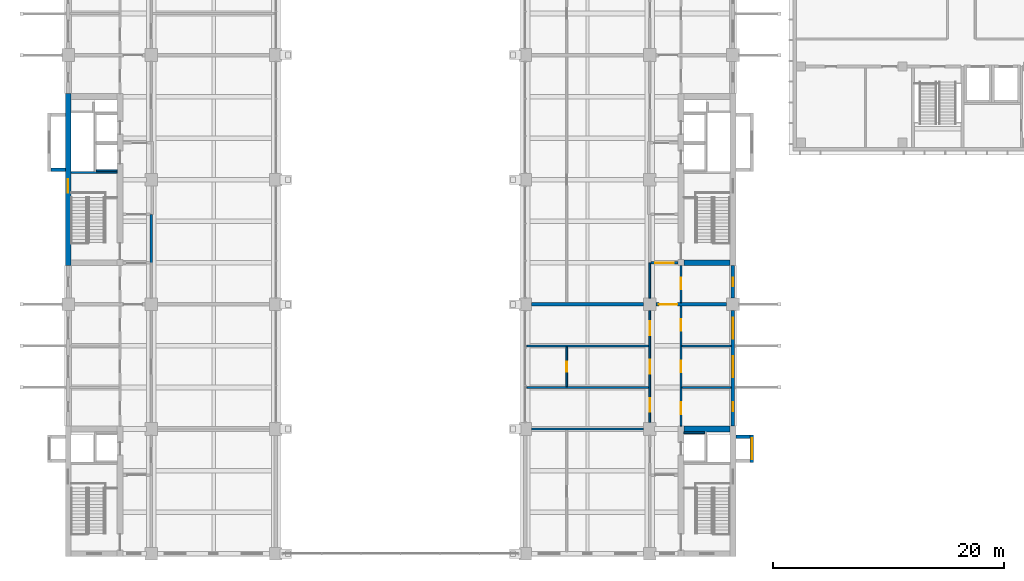
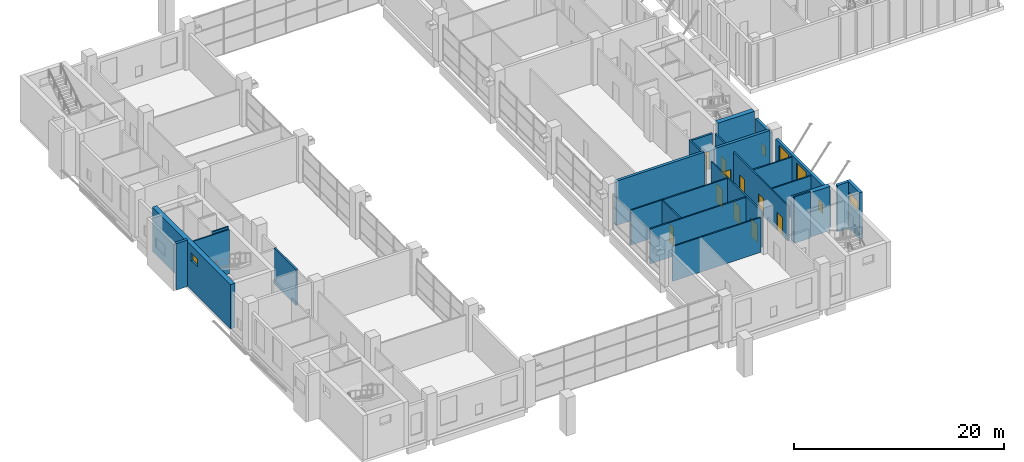
# One storey, part 19 of 38: 25 walls, 10 doors, 6 windows, 16 openings.
"""IFC4 building model written with IfcOpenShell, lengths in metres."""

from ifc_helpers import new_model, si_unit, direction, frame, frame_2d, origin, place, context, subcontext, project, spatial, rectangle, extrude, material, layer, layer_set, type_object, element, fill, save


model = new_model("IFC4")

# Units and contexts
model_context = context("Model", 3, precision=1e-05, world=origin(), true_north=direction((0.0, 1.0)))
body_context = subcontext(model_context, "Body", "Model", "MODEL_VIEW")
ifc_project = project(units=[si_unit("LENGTHUNIT", "METRE"), si_unit("AREAUNIT", "SQUARE_METRE"), si_unit("VOLUMEUNIT", "CUBIC_METRE"), si_unit("PLANEANGLEUNIT", "RADIAN"), si_unit("MASSUNIT", "GRAM", prefix="KILO")], contexts=[model_context])

# Site, building, storey
site_placement = place(None, origin())
site = spatial("IfcSite", under=ifc_project, at=site_placement, CompositionType="ELEMENT")
building_placement = place(site_placement, origin())
building = spatial("IfcBuilding", under=site, at=building_placement, Name="Basin Gate Institute", CompositionType="ELEMENT")
storey_placement = place(building_placement, frame((0.0, 0.0, 16.800048828125)))
storey = spatial("IfcBuildingStorey", under=building, at=storey_placement, Name="L03", CompositionType="ELEMENT", Elevation=16.800048828125)

# Wall
ifc_material_1 = material(Name="Fire-rated masonry", Category="masonry")
ifc_layer_1 = layer(ifc_material_1, 0.199951171875)
ifc_layer_set_1 = layer_set([ifc_layer_1], Name="Enclosure wall PW2 200 EI 60")
wall_type_1 = type_object("IfcWallType", Name="Enclosure wall PW2 200 EI 60", PredefinedType="PARTITIONING", material=ifc_layer_set_1)
wall_1_placement = place(storey_placement, frame((68.39990234375, 60.300048828125, 0.0), z_axis=(0.0, 0.0, 1.0), x_axis=(0.0, 1.0, 0.0)))
element("IfcWall", 1, at=wall_1_placement, inside=storey, type_object=wall_type_1, material=ifc_layer_set_1, Name="Smoke lobby enclosure wall PW2 L03", PredefinedType="PARTITIONING", context=body_context, shape_type="SweptSolid", body=[
    extrude(rectangle(XDim=4.199951171875, YDim=0.199951171875, at=frame_2d((2.10009765625, 0.0))), origin(), (0.0, 0.0, 1.0), 4.14990234375),
])

# Wall, opening, door
wall_2_placement = place(storey_placement, frame((114.050048828125, 60.300048828125, 0.0), z_axis=(0.0, 0.0, 1.0), x_axis=(-1.0, 0.0, 0.0)))
wall_2 = element("IfcWall", 2, at=wall_2_placement, inside=storey, type_object=wall_type_1, material=ifc_layer_set_1, Name="Smoke lobby enclosure wall PW2 L03", PredefinedType="PARTITIONING", context=body_context, shape_type="SweptSolid", body=[
    extrude(rectangle(XDim=2.35009765625, YDim=0.199951171875, at=frame_2d((1.175048828125, 0.0))), origin(), (0.0, 0.0, 1.0), 4.050048828125),
])
opening_1_placement = place(wall_2_placement, frame((0.375, 0.0, 0.0)))
opening_1 = element("IfcOpeningElement", 3, at=opening_1_placement, cuts=wall_2, Name="Opening DR171", PredefinedType="OPENING", context=body_context, shape_type="SweptSolid", body=[
    extrude(rectangle(XDim=1.60009765625, YDim=2.10009765625, at=frame_2d((0.800048828125, 1.050048828125))), frame((0.0, 0.10986328125, 0.0), z_axis=(0.0, -1.0, 0.0), x_axis=(1.0, 0.0, 0.0)), (0.0, 0.0, 1.0), 0.219970703125),
])
ifc_material_2 = material(Name="Steel fire door", Category="steel")
door_type_1 = type_object("IfcDoorType", Name="FD60 Smoke lobby door pair D8", OperationType="DOUBLE_DOOR_SINGLE_SWING", PredefinedType="DOOR", material=ifc_material_2)
door_1_placement = place(opening_1_placement, frame((1.60009765625, 0.0, 0.0), z_axis=(0.0, 0.0, 1.0), x_axis=(-1.0, 0.0, 0.0)))
door_1 = element("IfcDoor", 4, at=door_1_placement, inside=storey, type_object=door_type_1, material=ifc_material_2, Name="Smoke lobby door SS5 L03", OperationType="DOUBLE_DOOR_SINGLE_SWING", OverallHeight=2.10009765625, OverallWidth=1.60009765625, PredefinedType="DOOR", context=body_context, shape_type="SweptSolid", body=[
    extrude(rectangle(XDim=1.60009765625, YDim=2.10009765625, at=frame_2d((0.800048828125, 1.050048828125))), frame((0.0, 0.02490234375, 0.0), z_axis=(0.0, -1.0, 0.0), x_axis=(1.0, 0.0, 0.0)), (0.0, 0.0, 1.0), 0.050048828125),
])
fill(opening_1, door_1)

# Wall, openings, windows
ifc_material_3 = material(Name="Aluminium-faced insulated panel wall", Category="aluminium")
ifc_layer_2 = layer(ifc_material_3, 0.300048828125)
ifc_layer_set_2 = layer_set([ifc_layer_2], Name="External wall EW1 EI 120")
wall_type_2 = type_object("IfcWallType", Name="External wall EW1 EI 120", PredefinedType="STANDARD", material=ifc_layer_set_2)
wall_3_placement = place(storey_placement, frame((118.800048828125, 46.14990234375, 0.0), z_axis=(0.0, 0.0, 1.0), x_axis=(0.0, 1.0, 0.0)))
wall_3 = element("IfcWall", 5, at=wall_3_placement, inside=storey, type_object=wall_type_2, material=ifc_layer_set_2, Name="External wall E facade L03 1", PredefinedType="STANDARD", context=body_context, shape_type="SweptSolid", body=[
    extrude(rectangle(XDim=10.0, YDim=0.300048828125, at=frame_2d((5.0, 0.0))), origin(), (0.0, 0.0, 1.0), 4.25),
])
opening_2_placement = place(wall_3_placement, frame((1.300048828125, 0.0, 0.800048828125)))
opening_2 = element("IfcOpeningElement", 6, at=opening_2_placement, cuts=wall_3, Name="Opening WN3", PredefinedType="OPENING", context=body_context, shape_type="SweptSolid", body=[
    extrude(rectangle(XDim=0.75, YDim=1.199951171875, at=frame_2d((0.375, 0.60009765625))), frame((0.0, 0.16015625, 0.0), z_axis=(0.0, -1.0, 0.0), x_axis=(1.0, 0.0, 0.0)), (0.0, 0.0, 1.0), 0.320068359375),
])
opening_3_placement = place(wall_3_placement, frame((4.25, 0.0, 0.89990234375)))
opening_3 = element("IfcOpeningElement", 7, at=opening_3_placement, cuts=wall_3, Name="Opening WN2", PredefinedType="OPENING", context=body_context, shape_type="SweptSolid", body=[
    extrude(rectangle(XDim=1.800048828125, YDim=3.0, at=frame_2d((0.89990234375, 1.5))), frame((0.0, 0.16015625, 0.0), z_axis=(0.0, -1.0, 0.0), x_axis=(1.0, 0.0, 0.0)), (0.0, 0.0, 1.0), 0.320068359375),
])
opening_4_placement = place(wall_3_placement, frame((7.574951171875, 0.0, 0.89990234375)))
opening_4 = element("IfcOpeningElement", 8, at=opening_4_placement, cuts=wall_3, Name="Opening WN2", PredefinedType="OPENING", context=body_context, shape_type="SweptSolid", body=[
    extrude(rectangle(XDim=1.800048828125, YDim=3.0, at=frame_2d((0.89990234375, 1.5))), frame((0.0, 0.16015625, 0.0), z_axis=(0.0, -1.0, 0.0), x_axis=(1.0, 0.0, 0.0)), (0.0, 0.0, 1.0), 0.320068359375),
])
ifc_material_4 = material(Name="Aluminium-framed double glazing", Category="aluminium")
window_type_1 = type_object("IfcWindowType", Name="Emergency entry panel WN3", PartitioningType="SINGLE_PANEL", PredefinedType="WINDOW", material=ifc_material_4)
window_1_placement = place(opening_2_placement, origin())
window_1 = element("IfcWindow", 9, at=window_1_placement, inside=storey, type_object=window_type_1, material=ifc_material_4, Name="Emergency entry panel E facade L03 bay 4", OverallHeight=1.199951171875, OverallWidth=0.75, PartitioningType="SINGLE_PANEL", PredefinedType="WINDOW", context=body_context, shape_type="SweptSolid", body=[
    extrude(rectangle(XDim=0.75, YDim=1.199951171875, at=frame_2d((0.375, 0.60009765625))), frame((0.0, 0.030029296875, 0.0), z_axis=(0.0, -1.0, 0.0), x_axis=(1.0, 0.0, 0.0)), (0.0, 0.0, 1.0), 0.06005859375),
])
fill(opening_2, window_1)
ifc_material_5 = material(Name="Aluminium-framed double glazing", Category="aluminium")
window_type_2 = type_object("IfcWindowType", Name="Podium window WN2", PartitioningType="SINGLE_PANEL", PredefinedType="WINDOW", material=ifc_material_5)
window_2_placement = place(opening_3_placement, origin())
window_2 = element("IfcWindow", 10, at=window_2_placement, inside=storey, type_object=window_type_2, material=ifc_material_5, Name="Podium window E facade L03 bay 5", OverallHeight=3.0, OverallWidth=1.800048828125, PartitioningType="SINGLE_PANEL", PredefinedType="WINDOW", context=body_context, shape_type="SweptSolid", body=[
    extrude(rectangle(XDim=1.800048828125, YDim=3.0, at=frame_2d((0.89990234375, 1.5))), frame((0.0, 0.030029296875, 0.0), z_axis=(0.0, -1.0, 0.0), x_axis=(1.0, 0.0, 0.0)), (0.0, 0.0, 1.0), 0.06005859375),
])
fill(opening_3, window_2)
window_3_placement = place(opening_4_placement, origin())
window_3 = element("IfcWindow", 11, at=window_3_placement, inside=storey, type_object=window_type_2, material=ifc_material_5, Name="Podium window E facade L03 bay 6", OverallHeight=3.0, OverallWidth=1.800048828125, PartitioningType="SINGLE_PANEL", PredefinedType="WINDOW", context=body_context, shape_type="SweptSolid", body=[
    extrude(rectangle(XDim=1.800048828125, YDim=3.0, at=frame_2d((0.89990234375, 1.5))), frame((0.0, 0.030029296875, 0.0), z_axis=(0.0, -1.0, 0.0), x_axis=(1.0, 0.0, 0.0)), (0.0, 0.0, 1.0), 0.06005859375),
])
fill(opening_4, window_3)

# Wall, opening, window
wall_4_placement = place(storey_placement, frame((118.800048828125, 57.25, 0.0), z_axis=(0.0, 0.0, 1.0), x_axis=(0.0, 1.0, 0.0)))
wall_4 = element("IfcWall", 12, at=wall_4_placement, inside=storey, type_object=wall_type_2, material=ifc_layer_set_2, Name="External wall E facade L03 2", PredefinedType="STANDARD", context=body_context, shape_type="SweptSolid", body=[
    extrude(rectangle(XDim=2.800048828125, YDim=0.300048828125, at=frame_2d((1.39990234375, 0.0))), origin(), (0.0, 0.0, 1.0), 4.25),
])
opening_5_placement = place(wall_4_placement, frame((1.02490234375, 0.0, 0.800048828125)))
opening_5 = element("IfcOpeningElement", 13, at=opening_5_placement, cuts=wall_4, Name="Opening WN3", PredefinedType="OPENING", context=body_context, shape_type="SweptSolid", body=[
    extrude(rectangle(XDim=0.75, YDim=1.199951171875, at=frame_2d((0.375, 0.60009765625))), frame((0.0, 0.16015625, 0.0), z_axis=(0.0, -1.0, 0.0), x_axis=(1.0, 0.0, 0.0)), (0.0, 0.0, 1.0), 0.320068359375),
])
window_4_placement = place(opening_5_placement, origin())
window_4 = element("IfcWindow", 14, at=window_4_placement, inside=storey, type_object=window_type_1, material=ifc_material_4, Name="Emergency entry panel E facade L03 bay 7", OverallHeight=1.199951171875, OverallWidth=0.75, PartitioningType="SINGLE_PANEL", PredefinedType="WINDOW", context=body_context, shape_type="SweptSolid", body=[
    extrude(rectangle(XDim=0.75, YDim=1.199951171875, at=frame_2d((0.375, 0.60009765625))), frame((0.0, 0.030029296875, 0.0), z_axis=(0.0, -1.0, 0.0), x_axis=(1.0, 0.0, 0.0)), (0.0, 0.0, 1.0), 0.06005859375),
])
fill(opening_5, window_4)

# Wall, openings, doors
ifc_material_6 = material(Name="Gypsum board on steel stud", Category="steel")
ifc_layer_3 = layer(ifc_material_6, 0.14990234375)
ifc_layer_set_3 = layer_set([ifc_layer_3], Name="Gypsum board on steel stud")
wall_type_3 = type_object("IfcWallType", Name="Partition PW1 150 EI 60", PredefinedType="PARTITIONING", material=ifc_layer_set_3)
wall_5_placement = place(storey_placement, frame((114.300048828125, 46.14990234375, 0.0), z_axis=(0.0, 0.0, 1.0), x_axis=(0.0, 1.0, 0.0)))
wall_5 = element("IfcWall", 15, at=wall_5_placement, inside=storey, type_object=wall_type_3, material=ifc_layer_set_3, Name="Corridor wall PW1 L03", PredefinedType="PARTITIONING", context=body_context, shape_type="SweptSolid", body=[
    extrude(rectangle(XDim=10.400146484375, YDim=0.14990234375, at=frame_2d((5.2001953125, 0.0))), origin(), (0.0, 0.0, 1.0), 4.050048828125),
])
opening_6_placement = place(wall_5_placement, frame((8.25, 0.0, 0.0)))
opening_6 = element("IfcOpeningElement", 16, at=opening_6_placement, cuts=wall_5, Name="Opening DR157", PredefinedType="OPENING", context=body_context, shape_type="SweptSolid", body=[
    extrude(rectangle(XDim=1.0, YDim=2.10009765625, at=frame_2d((0.5, 1.050048828125))), frame((0.0, 0.0849609375, 0.0), z_axis=(0.0, -1.0, 0.0), x_axis=(1.0, 0.0, 0.0)), (0.0, 0.0, 1.0), 0.169921875),
])
opening_7_placement = place(wall_5_placement, frame((4.64990234375, 0.0, 0.0)))
opening_7 = element("IfcOpeningElement", 17, at=opening_7_placement, cuts=wall_5, Name="Opening DR158", PredefinedType="OPENING", context=body_context, shape_type="SweptSolid", body=[
    extrude(rectangle(XDim=1.0, YDim=2.10009765625, at=frame_2d((0.5, 1.050048828125))), frame((0.0, 0.0849609375, 0.0), z_axis=(0.0, -1.0, 0.0), x_axis=(1.0, 0.0, 0.0)), (0.0, 0.0, 1.0), 0.169921875),
])
opening_8_placement = place(wall_5_placement, frame((1.050048828125, 0.0, 0.0)))
opening_8 = element("IfcOpeningElement", 18, at=opening_8_placement, cuts=wall_5, Name="Opening DR168", PredefinedType="OPENING", context=body_context, shape_type="SweptSolid", body=[
    extrude(rectangle(XDim=1.0, YDim=2.10009765625, at=frame_2d((0.5, 1.050048828125))), frame((0.0, 0.0849609375, 0.0), z_axis=(0.0, -1.0, 0.0), x_axis=(1.0, 0.0, 0.0)), (0.0, 0.0, 1.0), 0.169921875),
])
ifc_material_7 = material(Name="Timber fire door", Category="wood")
door_type_2 = type_object("IfcDoorType", Name="FD30 Office door D1", OperationType="NOTDEFINED", PredefinedType="DOOR", material=ifc_material_7)
door_2_placement = place(opening_7_placement, frame((1.0, 0.0, 0.0), z_axis=(0.0, 0.0, 1.0), x_axis=(-1.0, 0.0, 0.0)))
door_2 = element("IfcDoor", 19, at=door_2_placement, inside=storey, type_object=door_type_2, material=ifc_material_7, Name="Door to Mechanical Plant Room 0352 L03", OperationType="SINGLE_SWING_RIGHT", OverallHeight=2.10009765625, OverallWidth=1.0, PredefinedType="DOOR", context=body_context, shape_type="SweptSolid", body=[
    extrude(rectangle(XDim=1.0, YDim=2.10009765625, at=frame_2d((0.5, 1.050048828125))), frame((0.0, 0.02490234375, 0.0), z_axis=(0.0, -1.0, 0.0), x_axis=(1.0, 0.0, 0.0)), (0.0, 0.0, 1.0), 0.050048828125),
])
fill(opening_7, door_2)
ifc_material_8 = material(Name="Steel fire door", Category="steel")
door_type_3 = type_object("IfcDoorType", Name="FD30 Store door D4", OperationType="NOTDEFINED", PredefinedType="DOOR", material=ifc_material_8)
door_3_placement = place(opening_8_placement, frame((1.0, 0.0, 0.0), z_axis=(0.0, 0.0, 1.0), x_axis=(-1.0, 0.0, 0.0)))
door_3 = element("IfcDoor", 20, at=door_3_placement, inside=storey, type_object=door_type_3, material=ifc_material_8, Name="Door to Tea Point L03", OperationType="SINGLE_SWING_RIGHT", OverallHeight=2.10009765625, OverallWidth=1.0, PredefinedType="DOOR", context=body_context, shape_type="SweptSolid", body=[
    extrude(rectangle(XDim=1.0, YDim=2.10009765625, at=frame_2d((0.5, 1.050048828125))), frame((0.0, 0.02490234375, 0.0), z_axis=(0.0, -1.0, 0.0), x_axis=(1.0, 0.0, 0.0)), (0.0, 0.0, 1.0), 0.050048828125),
])
fill(opening_8, door_3)
ifc_material_9 = material(Name="Timber fire door", Category="wood")
door_type_4 = type_object("IfcDoorType", Name="FD30 Toilet door D3", OperationType="NOTDEFINED", PredefinedType="DOOR", material=ifc_material_9)
door_4_placement = place(opening_6_placement, frame((1.0, 0.0, 0.0), z_axis=(0.0, 0.0, 1.0), x_axis=(-1.0, 0.0, 0.0)))
door_4 = element("IfcDoor", 21, at=door_4_placement, inside=storey, type_object=door_type_4, material=ifc_material_9, Name="Door to Male WC L03", OperationType="SINGLE_SWING_LEFT", OverallHeight=2.10009765625, OverallWidth=1.0, PredefinedType="DOOR", context=body_context, shape_type="SweptSolid", body=[
    extrude(rectangle(XDim=1.0, YDim=2.10009765625, at=frame_2d((0.5, 1.050048828125))), frame((0.0, 0.02490234375, 0.0), z_axis=(0.0, -1.0, 0.0), x_axis=(1.0, 0.0, 0.0)), (0.0, 0.0, 1.0), 0.050048828125),
])
fill(opening_6, door_4)

# Wall, opening, door
wall_6_placement = place(storey_placement, frame((114.300048828125, 56.85009765625, 0.0), z_axis=(0.0, 0.0, 1.0), x_axis=(0.0, 1.0, 0.0)))
wall_6 = element("IfcWall", 22, at=wall_6_placement, inside=storey, type_object=wall_type_3, material=ifc_layer_set_3, Name="Corridor wall PW1 L03", PredefinedType="PARTITIONING", context=body_context, shape_type="SweptSolid", body=[
    extrude(rectangle(XDim=3.199951171875, YDim=0.14990234375, at=frame_2d((1.60009765625, 0.0))), origin(), (0.0, 0.0, 1.0), 4.050048828125),
])
opening_9_placement = place(wall_6_placement, frame((1.14990234375, 0.0, 0.0)))
opening_9 = element("IfcOpeningElement", 23, at=opening_9_placement, cuts=wall_6, Name="Opening DR159", PredefinedType="OPENING", context=body_context, shape_type="SweptSolid", body=[
    extrude(rectangle(XDim=1.0, YDim=2.10009765625, at=frame_2d((0.5, 1.050048828125))), frame((0.0, 0.0849609375, 0.0), z_axis=(0.0, -1.0, 0.0), x_axis=(1.0, 0.0, 0.0)), (0.0, 0.0, 1.0), 0.169921875),
])
door_5_placement = place(opening_9_placement, frame((1.0, 0.0, 0.0), z_axis=(0.0, 0.0, 1.0), x_axis=(-1.0, 0.0, 0.0)))
door_5 = element("IfcDoor", 24, at=door_5_placement, inside=storey, type_object=door_type_2, material=ifc_material_7, Name="Door to Mechanical Plant Room 0354 L03", OperationType="SINGLE_SWING_LEFT", OverallHeight=2.10009765625, OverallWidth=1.0, PredefinedType="DOOR", context=body_context, shape_type="SweptSolid", body=[
    extrude(rectangle(XDim=1.0, YDim=2.10009765625, at=frame_2d((0.5, 1.050048828125))), frame((0.0, 0.02490234375, 0.0), z_axis=(0.0, -1.0, 0.0), x_axis=(1.0, 0.0, 0.0)), (0.0, 0.0, 1.0), 0.050048828125),
])
fill(opening_9, door_5)

# Wall, openings, doors
wall_7_placement = place(storey_placement, frame((111.60009765625, 46.449951171875, 0.0), z_axis=(0.0, 0.0, 1.0), x_axis=(0.0, 1.0, 0.0)))
wall_7 = element("IfcWall", 25, at=wall_7_placement, inside=storey, type_object=wall_type_3, material=ifc_layer_set_3, Name="Laboratory corridor wall PW1 L03", PredefinedType="PARTITIONING", context=body_context, shape_type="SweptSolid", body=[
    extrude(rectangle(XDim=9.699951171875, YDim=0.14990234375, at=frame_2d((4.85009765625, 0.0))), origin(), (0.0, 0.0, 1.0), 4.14990234375),
])
opening_10_placement = place(wall_7_placement, frame((0.925048828125, 0.0, 0.0)))
opening_10 = element("IfcOpeningElement", 26, at=opening_10_placement, cuts=wall_7, Name="Opening DR151", PredefinedType="OPENING", context=body_context, shape_type="SweptSolid", body=[
    extrude(rectangle(XDim=1.199951171875, YDim=2.10009765625, at=frame_2d((0.60009765625, 1.050048828125))), frame((0.0, 0.0849609375, 0.0), z_axis=(0.0, -1.0, 0.0), x_axis=(1.0, 0.0, 0.0)), (0.0, 0.0, 1.0), 0.169921875),
])
opening_11_placement = place(wall_7_placement, frame((7.574951171875, 0.0, 0.0)))
opening_11 = element("IfcOpeningElement", 27, at=opening_11_placement, cuts=wall_7, Name="Opening DR152", PredefinedType="OPENING", context=body_context, shape_type="SweptSolid", body=[
    extrude(rectangle(XDim=1.199951171875, YDim=2.10009765625, at=frame_2d((0.60009765625, 1.050048828125))), frame((0.0, 0.0849609375, 0.0), z_axis=(0.0, -1.0, 0.0), x_axis=(1.0, 0.0, 0.0)), (0.0, 0.0, 1.0), 0.169921875),
])
opening_12_placement = place(wall_7_placement, frame((4.25, 0.0, 0.0)))
opening_12 = element("IfcOpeningElement", 28, at=opening_12_placement, cuts=wall_7, Name="Opening DR154", PredefinedType="OPENING", context=body_context, shape_type="SweptSolid", body=[
    extrude(rectangle(XDim=1.199951171875, YDim=2.10009765625, at=frame_2d((0.60009765625, 1.050048828125))), frame((0.0, 0.0849609375, 0.0), z_axis=(0.0, -1.0, 0.0), x_axis=(1.0, 0.0, 0.0)), (0.0, 0.0, 1.0), 0.169921875),
])
ifc_material_10 = material(Name="Timber fire door", Category="wood")
door_type_5 = type_object("IfcDoorType", Name="FD30 Laboratory door D2", OperationType="DOUBLE_DOOR_SINGLE_SWING", PredefinedType="DOOR", material=ifc_material_10)
door_6_placement = place(opening_10_placement, origin())
door_6 = element("IfcDoor", 29, at=door_6_placement, inside=storey, type_object=door_type_5, material=ifc_material_10, Name="Door to Electrical Room 0368 L03", OperationType="DOUBLE_DOOR_SINGLE_SWING", OverallHeight=2.10009765625, OverallWidth=1.199951171875, PredefinedType="DOOR", context=body_context, shape_type="SweptSolid", body=[
    extrude(rectangle(XDim=1.199951171875, YDim=2.10009765625, at=frame_2d((0.60009765625, 1.050048828125))), frame((0.0, 0.02490234375, 0.0), z_axis=(0.0, -1.0, 0.0), x_axis=(1.0, 0.0, 0.0)), (0.0, 0.0, 1.0), 0.050048828125),
])
fill(opening_10, door_6)
door_7_placement = place(opening_11_placement, origin())
door_7 = element("IfcDoor", 30, at=door_7_placement, inside=storey, type_object=door_type_5, material=ifc_material_10, Name="Door to Electrical Room 0371 L03", OperationType="DOUBLE_DOOR_SINGLE_SWING", OverallHeight=2.10009765625, OverallWidth=1.199951171875, PredefinedType="DOOR", context=body_context, shape_type="SweptSolid", body=[
    extrude(rectangle(XDim=1.199951171875, YDim=2.10009765625, at=frame_2d((0.60009765625, 1.050048828125))), frame((0.0, 0.02490234375, 0.0), z_axis=(0.0, -1.0, 0.0), x_axis=(1.0, 0.0, 0.0)), (0.0, 0.0, 1.0), 0.050048828125),
])
fill(opening_11, door_7)
door_8_placement = place(opening_12_placement, origin())
door_8 = element("IfcDoor", 31, at=door_8_placement, inside=storey, type_object=door_type_5, material=ifc_material_10, Name="Door to Exhaust Fan Room 0369 L03", OperationType="DOUBLE_DOOR_SINGLE_SWING", OverallHeight=2.10009765625, OverallWidth=1.199951171875, PredefinedType="DOOR", context=body_context, shape_type="SweptSolid", body=[
    extrude(rectangle(XDim=1.199951171875, YDim=2.10009765625, at=frame_2d((0.60009765625, 1.050048828125))), frame((0.0, 0.02490234375, 0.0), z_axis=(0.0, -1.0, 0.0), x_axis=(1.0, 0.0, 0.0)), (0.0, 0.0, 1.0), 0.050048828125),
])
fill(opening_12, door_8)

# Wall
wall_8_placement = place(storey_placement, frame((111.60009765625, 57.25, 0.0), z_axis=(0.0, 0.0, 1.0), x_axis=(0.0, 1.0, 0.0)))
element("IfcWall", 32, at=wall_8_placement, inside=storey, type_object=wall_type_3, material=ifc_layer_set_3, Name="Laboratory corridor wall PW1 L03", PredefinedType="PARTITIONING", context=body_context, shape_type="SweptSolid", body=[
    extrude(rectangle(XDim=3.050048828125, YDim=0.14990234375, at=frame_2d((1.52490234375, 0.0))), origin(), (0.0, 0.0, 1.0), 4.14990234375),
])

# Wall, opening, door
wall_9_placement = place(storey_placement, frame((104.39990234375, 49.574951171875, 0.0), z_axis=(0.0, 0.0, 1.0), x_axis=(0.0, 1.0, 0.0)))
wall_9 = element("IfcWall", 33, at=wall_9_placement, inside=storey, type_object=wall_type_3, material=ifc_layer_set_3, Name="Laboratory partition PW1 L03", PredefinedType="PARTITIONING", context=body_context, shape_type="SweptSolid", body=[
    extrude(rectangle(XDim=3.449951171875, YDim=0.14990234375, at=frame_2d((1.72509765625, 0.0))), origin(), (0.0, 0.0, 1.0), 4.050048828125),
])
opening_13_placement = place(wall_9_placement, frame((1.27490234375, 0.0, 0.0)))
opening_13 = element("IfcOpeningElement", 34, at=opening_13_placement, cuts=wall_9, Name="Opening DR163", PredefinedType="OPENING", context=body_context, shape_type="SweptSolid", body=[
    extrude(rectangle(XDim=0.89990234375, YDim=2.10009765625, at=frame_2d((0.449951171875, 1.050048828125))), frame((0.0, 0.0849609375, 0.0), z_axis=(0.0, -1.0, 0.0), x_axis=(1.0, 0.0, 0.0)), (0.0, 0.0, 1.0), 0.169921875),
])
ifc_material_11 = material(Name="Steel fire door", Category="steel")
door_type_6 = type_object("IfcDoorType", Name="FD60 Riser door D10", OperationType="NOTDEFINED", PredefinedType="DOOR", material=ifc_material_11)
door_9_placement = place(opening_13_placement, origin())
door_9 = element("IfcDoor", 35, at=door_9_placement, inside=storey, type_object=door_type_6, material=ifc_material_11, Name="Door to Riser Room 0370 L03", OperationType="SINGLE_SWING_RIGHT", OverallHeight=2.10009765625, OverallWidth=0.89990234375, PredefinedType="DOOR", context=body_context, shape_type="SweptSolid", body=[
    extrude(rectangle(XDim=0.89990234375, YDim=2.10009765625, at=frame_2d((0.449951171875, 1.050048828125))), frame((0.0, 0.02490234375, 0.0), z_axis=(0.0, -1.0, 0.0), x_axis=(1.0, 0.0, 0.0)), (0.0, 0.0, 1.0), 0.050048828125),
])
fill(opening_13, door_9)

# Walls
wall_10_placement = place(storey_placement, frame((111.050048828125, 45.89990234375, 0.0), z_axis=(0.0, 0.0, 1.0), x_axis=(-1.0, 0.0, 0.0)))
element("IfcWall", 36, at=wall_10_placement, inside=storey, type_object=wall_type_3, material=ifc_layer_set_3, Name="Laboratory partition PW1 L03", PredefinedType="PARTITIONING", context=body_context, shape_type="SweptSolid", body=[
    extrude(rectangle(XDim=9.699951171875, YDim=0.14990234375, at=frame_2d((4.85009765625, 0.0))), origin(), (0.0, 0.0, 1.0), 4.050048828125),
])
for number, where, z_axis, x_axis, name in (
    (37, (111.52490234375, 49.5, 0.0), (0.0, 0.0, 1.0), (-1.0, 0.0, 0.0), "Laboratory partition PW1 L03"),
    (38, (111.52490234375, 53.10009765625, 0.0), (0.0, 0.0, 1.0), (-1.0, 0.0, 0.0), "Laboratory partition PW1 L03"),
):
    element("IfcWall", number, at=place(storey_placement, frame(where, z_axis=z_axis, x_axis=x_axis)), inside=storey, type_object=wall_type_3, material=ifc_layer_set_3, Name=name, PredefinedType="PARTITIONING", context=body_context, shape_type="SweptSolid", body=[
        extrude(rectangle(XDim=10.574951171875, YDim=0.14990234375, at=frame_2d((5.28759765625, 0.0))), origin(), (0.0, 0.0, 1.0), 4.050048828125),
    ])
ifc_material_12 = material(Name="Gypsum board on steel stud", Category="steel")
ifc_layer_4 = layer(ifc_material_12, 0.14990234375)
ifc_layer_set_4 = layer_set([ifc_layer_4], Name="Gypsum board on steel stud")
wall_type_4 = type_object("IfcWallType", Name="Partition PW4 150", PredefinedType="PARTITIONING", material=ifc_layer_set_4)
for number, where, z_axis, x_axis, name in (
    (39, (118.64990234375, 49.5, 0.0), (0.0, 0.0, 1.0), (-1.0, 0.0, 0.0), "Toilet partition PW4 L03"),
    (40, (118.64990234375, 53.10009765625, 0.0), (0.0, 0.0, 1.0), (-1.0, 0.0, 0.0), "Toilet partition PW4 L03"),
):
    element("IfcWall", number, at=place(storey_placement, frame(where, z_axis=z_axis, x_axis=x_axis)), inside=storey, type_object=wall_type_4, material=ifc_layer_set_4, Name=name, PredefinedType="PARTITIONING", context=body_context, shape_type="SweptSolid", body=[
        extrude(rectangle(XDim=4.27490234375, YDim=0.14990234375, at=frame_2d((2.137451171875, 0.0))), origin(), (0.0, 0.0, 1.0), 4.050048828125),
    ])
ifc_material_13 = material(Name="Concrete 40 MPa", Category="concrete")
ifc_layer_5 = layer(ifc_material_13, 0.14990234375)
ifc_layer_set_5 = layer_set([ifc_layer_5], Name="Concrete 40 MPa")
wall_type_5 = type_object("IfcWallType", Name="Wall LS1 lift shaft enclosure R180", PredefinedType="SOLIDWALL", material=ifc_layer_set_5)
for number, where, z_axis, x_axis, name in (
    (41, (63.64990234375, 68.27490234375, 0.0), (0.0, 0.0, 1.0), (1.0, 0.0, 0.0), "Lift shaft enclosure LF1 L03 RL"),
    (42, (116.35009765625, 45.574951171875, 0.0), (0.0, 0.0, 1.0), (-1.0, 0.0, 0.0), "Lift shaft enclosure LP4 L03 RH"),
):
    element("IfcWall", number, at=place(storey_placement, frame(where, z_axis=z_axis, x_axis=x_axis)), inside=storey, type_object=wall_type_5, material=ifc_layer_set_5, Name=name, PredefinedType="SOLIDWALL", context=body_context, shape_type="SweptSolid", body=[
        extrude(rectangle(XDim=1.800048828125, YDim=0.14990234375, at=frame_2d((0.89990234375, 0.0))), origin(), (0.0, 0.0, 1.0), 5.39990234375),
    ])
ifc_material_14 = material(Name="Concrete 40 MPa", Category="concrete")
ifc_layer_6 = layer(ifc_material_14, 0.14990234375)
ifc_layer_set_6 = layer_set([ifc_layer_6], Name="Concrete 40 MPa")
wall_type_6 = type_object("IfcWallType", Name="Wall SE1 stair enclosure R180", PredefinedType="SOLIDWALL", material=ifc_layer_set_6)
wall_11_placement = place(storey_placement, frame((61.449951171875, 68.125, 0.0), z_axis=(0.0, 0.0, 1.0), x_axis=(1.0, 0.0, 0.0)))
element("IfcWall", 43, at=wall_11_placement, inside=storey, type_object=wall_type_6, material=ifc_layer_set_6, Name="Stair enclosure wall ST-WM L03", PredefinedType="SOLIDWALL", context=body_context, shape_type="SweptSolid", body=[
    extrude(rectangle(XDim=4.0, YDim=0.14990234375, at=frame_2d((2.0, 0.0))), origin(), (0.0, 0.0, 1.0), 5.14990234375),
])
ifc_material_15 = material(Name="Concrete 50 MPa", Category="concrete")
ifc_layer_7 = layer(ifc_material_15, 0.300048828125)
ifc_layer_set_7 = layer_set([ifc_layer_7], Name="Concrete 50 MPa")
wall_type_7 = type_object("IfcWallType", Name="Wall SK1 R180", PredefinedType="SHEAR", material=ifc_layer_set_7)
wall_12_placement = place(storey_placement, frame((60.949951171875, 68.35009765625, 0.0), z_axis=(0.0, 0.0, 1.0), x_axis=(-1.0, 0.0, 0.0)))
element("IfcWall", 44, at=wall_12_placement, inside=storey, type_object=wall_type_7, material=ifc_layer_set_7, Name="Spine riser stack wall SK1 WM A L03", PredefinedType="SHEAR", context=body_context, shape_type="SweptSolid", body=[
    extrude(rectangle(XDim=1.25, YDim=0.300048828125, at=frame_2d((0.625, 0.0))), origin(), (0.0, 0.0, 1.0), 5.39990234375),
])

# Wall, opening, window
wall_13_placement = place(storey_placement, frame((120.449951171875, 43.0, 0.0), z_axis=(0.0, 0.0, 1.0), x_axis=(0.0, 1.0, 0.0)))
wall_13 = element("IfcWall", 45, at=wall_13_placement, inside=storey, type_object=wall_type_7, material=ifc_layer_set_7, Name="Spine riser stack wall SK1 ES F L03", PredefinedType="SHEAR", context=body_context, shape_type="SweptSolid", body=[
    extrude(rectangle(XDim=2.39990234375, YDim=0.300048828125, at=frame_2d((1.199951171875, 0.0))), origin(), (0.0, 0.0, 1.0), 5.39990234375),
])
opening_14_placement = place(wall_13_placement, frame((0.300048828125, 0.0, 3.0)))
opening_14 = element("IfcOpeningElement", 46, at=opening_14_placement, cuts=wall_13, Name="Opening WL1", PredefinedType="OPENING", context=body_context, shape_type="SweptSolid", body=[
    extrude(rectangle(XDim=1.800048828125, YDim=1.199951171875, at=frame_2d((0.89990234375, 0.60009765625))), frame((0.0, 0.16015625, 0.0), z_axis=(0.0, -1.0, 0.0), x_axis=(1.0, 0.0, 0.0)), (0.0, 0.0, 1.0), 0.320068359375),
])
ifc_material_16 = material(Name="Aluminium louvre blades with fire damper", Category="aluminium")
window_type_3 = type_object("IfcWindowType", Name="Riser louvre EI 180 WL1", PartitioningType="SINGLE_PANEL", PredefinedType="WINDOW", material=ifc_material_16)
window_5_placement = place(opening_14_placement, origin())
window_5 = element("IfcWindow", 47, at=window_5_placement, inside=storey, type_object=window_type_3, material=ifc_material_16, Name="Riser louvre EI 180 ES riser 1 L03", OverallHeight=1.199951171875, OverallWidth=1.800048828125, PartitioningType="SINGLE_PANEL", PredefinedType="WINDOW", context=body_context, shape_type="SweptSolid", body=[
    extrude(rectangle(XDim=1.800048828125, YDim=1.199951171875, at=frame_2d((0.89990234375, 0.60009765625))), frame((0.0, 0.030029296875, 0.0), z_axis=(0.0, -1.0, 0.0), x_axis=(1.0, 0.0, 0.0)), (0.0, 0.0, 1.0), 0.06005859375),
])
fill(opening_14, window_5)

# Wall
wall_14_placement = place(storey_placement, frame((119.050048828125, 45.25, 0.0), z_axis=(0.0, 0.0, 1.0), x_axis=(1.0, 0.0, 0.0)))
element("IfcWall", 48, at=wall_14_placement, inside=storey, type_object=wall_type_7, material=ifc_layer_set_7, Name="Spine riser stack wall SK1 ES B L03", PredefinedType="SHEAR", context=body_context, shape_type="SweptSolid", body=[
    extrude(rectangle(XDim=1.25, YDim=0.300048828125, at=frame_2d((0.625, 0.0))), origin(), (0.0, 0.0, 1.0), 5.39990234375),
])

# Wall, opening, window
ifc_material_17 = material(Name="Concrete 60 MPa", Category="concrete")
ifc_layer_8 = layer(ifc_material_17, 0.5)
ifc_layer_set_8 = layer_set([ifc_layer_8], Name="Concrete 60 MPa")
wall_type_8 = type_object("IfcWallType", Name="Wall SW1 R180", PredefinedType="SHEAR", material=ifc_layer_set_8)
wall_15_placement = place(storey_placement, frame((61.199951171875, 60.050048828125, 0.0), z_axis=(0.0, 0.0, 1.0), x_axis=(0.0, 1.0, 0.0)))
wall_15 = element("IfcWall", 49, at=wall_15_placement, inside=storey, type_object=wall_type_8, material=ifc_layer_set_8, Name="WALL/L03/WM/L", PredefinedType="SHEAR", context=body_context, shape_type="SweptSolid", body=[
    extrude(rectangle(XDim=14.89990234375, YDim=0.5, at=frame_2d((7.449951171875, 0.0))), origin(), (0.0, 0.0, 1.0), 5.14990234375),
])
opening_15_placement = place(wall_15_placement, frame((6.300048828125, 0.0, 3.39990234375)))
opening_15 = element("IfcOpeningElement", 50, at=opening_15_placement, cuts=wall_15, Name="Opening WT1", PredefinedType="OPENING", context=body_context, shape_type="SweptSolid", body=[
    extrude(rectangle(XDim=1.199951171875, YDim=0.89990234375, at=frame_2d((0.60009765625, 0.449951171875))), frame((0.0, 0.260009765625, 0.0), z_axis=(0.0, -1.0, 0.0), x_axis=(1.0, 0.0, 0.0)), (0.0, 0.0, 1.0), 0.52001953125),
])
ifc_material_18 = material(Name="Fire-resistant glazing in steel-free frame", Category="steel")
window_type_4 = type_object("IfcWindowType", Name="Rated stair window EI 180 WT1", PartitioningType="SINGLE_PANEL", PredefinedType="WINDOW", material=ifc_material_18)
window_6_placement = place(opening_15_placement, origin())
window_6 = element("IfcWindow", 51, at=window_6_placement, inside=storey, type_object=window_type_4, material=ifc_material_18, Name="Rated stair window EI 180 WM landing L03", OverallHeight=0.89990234375, OverallWidth=1.199951171875, PartitioningType="SINGLE_PANEL", PredefinedType="WINDOW", context=body_context, shape_type="SweptSolid", body=[
    extrude(rectangle(XDim=1.199951171875, YDim=0.89990234375, at=frame_2d((0.60009765625, 0.449951171875))), frame((0.0, 0.030029296875, 0.0), z_axis=(0.0, -1.0, 0.0), x_axis=(1.0, 0.0, 0.0)), (0.0, 0.0, 1.0), 0.06005859375),
])
fill(opening_15, window_6)

# Walls
for number, where, z_axis, x_axis, name in (
    (52, (118.550048828125, 45.89990234375, 0.0), (0.0, 0.0, 1.0), (-1.0, 0.0, 0.0), "WALL/L03/ES/N"),
    (53, (118.550048828125, 60.300048828125, 0.0), (0.0, 0.0, 1.0), (-1.0, 0.0, 0.0), "WALL/L03/EM/S"),
):
    element("IfcWall", number, at=place(storey_placement, frame(where, z_axis=z_axis, x_axis=x_axis)), inside=storey, type_object=wall_type_8, material=ifc_layer_set_8, Name=name, PredefinedType="SHEAR", context=body_context, shape_type="SweptSolid", body=[
        extrude(rectangle(XDim=4.0, YDim=0.5, at=frame_2d((2.0, 0.0))), origin(), (0.0, 0.0, 1.0), 5.14990234375),
    ])

# Wall, opening, door
ifc_material_19 = material(Name="Concrete 50 MPa", Category="concrete")
ifc_layer_9 = layer(ifc_material_19, 0.300048828125)
ifc_layer_set_9 = layer_set([ifc_layer_9], Name="Concrete 50 MPa")
wall_type_9 = type_object("IfcWallType", Name="Wall XW1 R180", PredefinedType="SHEAR", material=ifc_layer_set_9)
wall_16_placement = place(storey_placement, frame((118.25, 56.699951171875, 0.0), z_axis=(0.0, 0.0, 1.0), x_axis=(-1.0, 0.0, 0.0)))
wall_16 = element("IfcWall", 54, at=wall_16_placement, inside=storey, type_object=wall_type_9, material=ifc_layer_set_9, Name="WALL/L03/EXC/1", PredefinedType="SHEAR", context=body_context, shape_type="SweptSolid", body=[
    extrude(rectangle(XDim=6.10009765625, YDim=0.300048828125, at=frame_2d((3.050048828125, 0.0))), origin(), (0.0, 0.0, 1.0), 5.14990234375),
])
opening_16_placement = place(wall_16_placement, frame((4.262451171875, 0.0, 0.0)))
opening_16 = element("IfcOpeningElement", 55, at=opening_16_placement, cuts=wall_16, Name="Opening DR174", PredefinedType="OPENING", context=body_context, shape_type="SweptSolid", body=[
    extrude(rectangle(XDim=1.60009765625, YDim=2.10009765625, at=frame_2d((0.800048828125, 1.050048828125))), frame((0.0, 0.16015625, 0.0), z_axis=(0.0, -1.0, 0.0), x_axis=(1.0, 0.0, 0.0)), (0.0, 0.0, 1.0), 0.320068359375),
])
ifc_material_20 = material(Name="Steel fire door", Category="steel")
door_type_7 = type_object("IfcDoorType", Name="FD60 Compartment door pair D7", OperationType="DOUBLE_DOOR_SINGLE_SWING", PredefinedType="DOOR", material=ifc_material_20)
door_10_placement = place(opening_16_placement, frame((1.60009765625, 0.0, 0.0), z_axis=(0.0, 0.0, 1.0), x_axis=(-1.0, 0.0, 0.0)))
door_10 = element("IfcDoor", 56, at=door_10_placement, inside=storey, type_object=door_type_7, material=ifc_material_20, Name="Compartment door pair L03 E1 L03", OperationType="DOUBLE_DOOR_SINGLE_SWING", OverallHeight=2.10009765625, OverallWidth=1.60009765625, PredefinedType="DOOR", context=body_context, shape_type="SweptSolid", body=[
    extrude(rectangle(XDim=1.60009765625, YDim=2.10009765625, at=frame_2d((0.800048828125, 1.050048828125))), frame((0.0, 0.02490234375, 0.0), z_axis=(0.0, -1.0, 0.0), x_axis=(1.0, 0.0, 0.0)), (0.0, 0.0, 1.0), 0.050048828125),
])
fill(opening_16, door_10)

# Wall
wall_17_placement = place(storey_placement, frame((111.050048828125, 56.699951171875, 0.0), z_axis=(0.0, 0.0, 1.0), x_axis=(-1.0, 0.0, 0.0)))
element("IfcWall", 57, at=wall_17_placement, inside=storey, type_object=wall_type_9, material=ifc_layer_set_9, Name="WALL/L03/EXC/2", PredefinedType="SHEAR", context=body_context, shape_type="SweptSolid", body=[
    extrude(rectangle(XDim=9.699951171875, YDim=0.300048828125, at=frame_2d((4.85009765625, 0.0))), origin(), (0.0, 0.0, 1.0), 5.14990234375),
])

save(model, "model.ifc")
